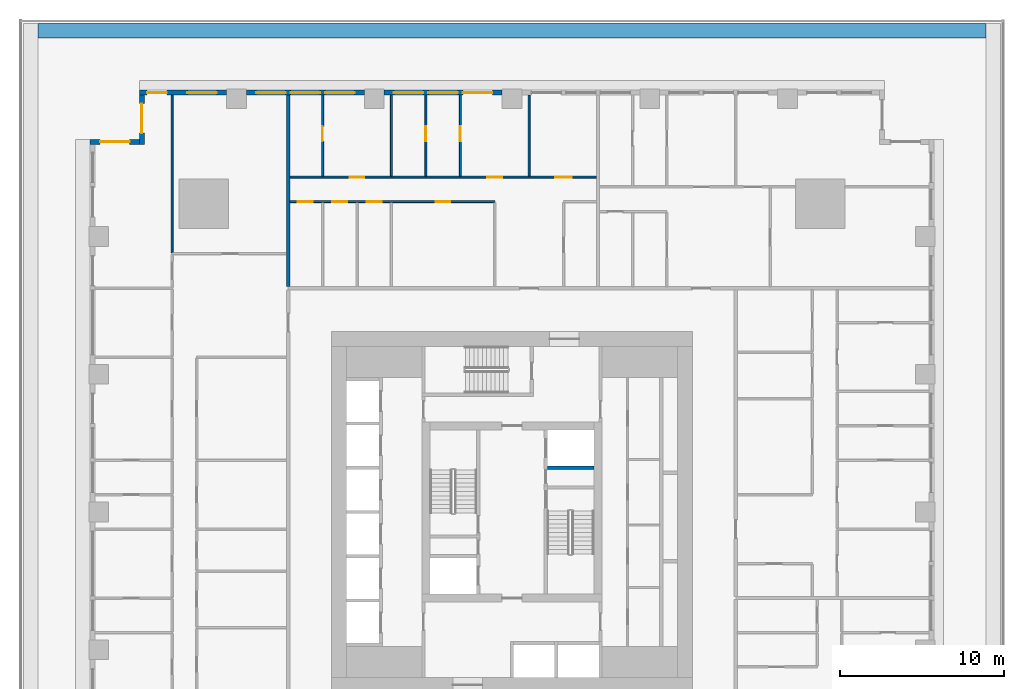
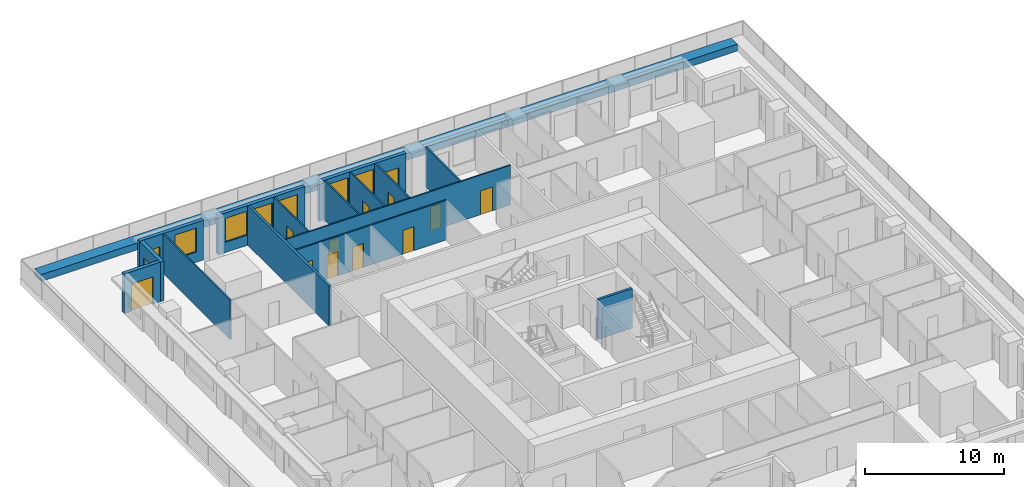
# One storey, part 8 of 16: 16 walls, 14 doors, 6 windows, 20 openings.
"""IFC4 building model written with IfcOpenShell, lengths in metres."""

import ifcopenshell
import ifcopenshell.guid

model = None  # the IFC model being written
_history = None  # IfcOwnerHistory: only IFC2X3 demands one
_inside = {}  # id of a spatial element -> (the spatial element, [elements in it])
_under = {}  # id of a project, library or spatial element -> (it, [spatial elements below it])
_declared = {}  # id of a project -> (the project, [libraries it declares])
_typed = {}  # id of a type object -> (the type object, [elements of that type])
_made_of = {}  # id of a material, layer set ... -> (it, [elements and type objects made of it])


def new_model(schema):
    """Start an empty IFC model of exactly this schema.

    Asked for "IFC4X3", IfcOpenShell would pick the latest addendum, in which some entities
    have other attributes; the version numbers below select the first issue.
    IFC2X3 requires an IfcOwnerHistory on every rooted entity: one is made here for all.
    """
    global model, _history
    if schema == "IFC4X3":
        model = ifcopenshell.file(schema_version=(4, 3, 0, 0))
    else:
        model = ifcopenshell.file(schema=schema)
    _inside.clear()
    _under.clear()
    _declared.clear()
    _typed.clear()
    _made_of.clear()
    _history = None
    if model.schema == "IFC2X3":
        org = make("IfcOrganization", Name="unknown")
        user = make(
            "IfcPersonAndOrganization",
            ThePerson=make("IfcPerson", FamilyName="unknown"),
            TheOrganization=org,
        )
        app = make(
            "IfcApplication",
            ApplicationDeveloper=org,
            Version="unknown",
            ApplicationFullName="unknown",
            ApplicationIdentifier="unknown",
        )
        _history = make(
            "IfcOwnerHistory",
            OwningUser=user,
            OwningApplication=app,
            ChangeAction="ADDED",
            CreationDate=0,
        )
    return model


def make(cls, **values):
    """One entity of the class cls with the attributes given. An attribute that is None is left unset."""
    return model.create_entity(
        cls, **{name: value for name, value in values.items() if value is not None}
    )


def rooted(cls, **values):
    """An entity with a GlobalId (a new one), such as an element, a storey or a relation."""
    return make(cls, GlobalId=ifcopenshell.guid.new(), OwnerHistory=_history, **values)


def si_unit(unit_type, name, prefix=None):
    """IfcSIUnit, for example si_unit("LENGTHUNIT", "METRE", prefix="MILLI")."""
    return make("IfcSIUnit", UnitType=unit_type, Prefix=prefix, Name=name)


def assignment(units):
    """IfcUnitAssignment: the units of a project."""
    return None if units is None else make("IfcUnitAssignment", Units=units)


def point(xyz):
    """IfcCartesianPoint."""
    return None if xyz is None else make("IfcCartesianPoint", Coordinates=xyz)


def direction(xyz):
    """IfcDirection."""
    return None if xyz is None else make("IfcDirection", DirectionRatios=xyz)


def frame(location, z_axis=None, x_axis=None):
    """IfcAxis2Placement3D, a coordinate frame: its origin and axes. An axis left out is left unset."""
    return make(
        "IfcAxis2Placement3D",
        Location=point(location),
        Axis=direction(z_axis),
        RefDirection=direction(x_axis),
    )


def frame_2d(location, x_axis=None):
    """IfcAxis2Placement2D, a coordinate frame in the plane: its origin and x axis."""
    return make(
        "IfcAxis2Placement2D", Location=point(location), RefDirection=direction(x_axis)
    )


def origin():
    """The frame at (0, 0, 0) with its axes left unset."""
    return frame((0.0, 0.0, 0.0))


def place(relative_to, where):
    """IfcLocalPlacement: puts the frame where relative to a parent placement (None: the world)."""
    return make(
        "IfcLocalPlacement", PlacementRelTo=relative_to, RelativePlacement=where
    )


def context(
    kind, dimensions, precision=None, world=None, true_north=None, identifier=None
):
    """IfcGeometricRepresentationContext, for example the 3D "Model" context."""
    return make(
        "IfcGeometricRepresentationContext",
        ContextIdentifier=identifier,
        ContextType=kind,
        CoordinateSpaceDimension=dimensions,
        Precision=precision,
        WorldCoordinateSystem=world,
        TrueNorth=true_north,
    )


def subcontext(parent, identifier, kind, view, scale=None):
    """IfcGeometricRepresentationSubContext, for example "Body" below "Model"."""
    return make(
        "IfcGeometricRepresentationSubContext",
        ContextIdentifier=identifier,
        ContextType=kind,
        ParentContext=parent,
        TargetScale=scale,
        TargetView=view,
    )


def project(units=None, contexts=None):
    """IfcProject with its units and contexts."""
    return rooted(
        "IfcProject",
        Name="project",
        RepresentationContexts=contexts,
        UnitsInContext=assignment(units),
    )


def spatial(cls, under=None, at=None, **own):
    """A site, building, storey or space (cls), placed at a placement, below another one or the project."""
    s = rooted(cls, ObjectPlacement=at, **own)
    if under is not None:
        _under.setdefault(under.id(), (under, []))[1].append(s)
    return s


def profile(cls, at=None, kind="AREA", **sizes):
    """A parametric profile (cls). Its sizes go by their IFC names, for example OverallWidth=200.0."""
    return make(cls, ProfileType=kind, Position=at, **sizes)


def rectangle(**sizes):
    """IfcRectangleProfileDef."""
    return profile("IfcRectangleProfileDef", **sizes)


def extrude(swept, where, along, depth):
    """IfcExtrudedAreaSolid: the profile swept, set in the frame where, extruded along a direction by depth."""
    return make(
        "IfcExtrudedAreaSolid",
        SweptArea=swept,
        Position=where,
        ExtrudedDirection=direction(along),
        Depth=depth,
    )


def shape(context_of_items, identifier, shape_type, items):
    """IfcShapeRepresentation: the items that make up one representation, for example the "Body"."""
    return make(
        "IfcShapeRepresentation",
        ContextOfItems=context_of_items,
        RepresentationIdentifier=identifier,
        RepresentationType=shape_type,
        Items=items,
    )


def material(Name=None, Category=None):
    """IfcMaterial."""
    return make("IfcMaterial", Name=Name, Category=Category)


def layer(
    of_material, thickness, ventilated=None, Name=None, Category=None, Priority=None
):
    """IfcMaterialLayer: one layer of a wall or slab, of a material (None: an air gap)."""
    return make(
        "IfcMaterialLayer",
        Material=of_material,
        LayerThickness=thickness,
        IsVentilated=ventilated,
        Name=Name,
        Category=Category,
        Priority=Priority,
    )


def layer_set(layers, Name=None):
    """IfcMaterialLayerSet."""
    return make("IfcMaterialLayerSet", MaterialLayers=layers, LayerSetName=Name)


def made_of(thing, what):
    """Note that an element or type object is made of a material, layer set ...; save() writes the relation."""
    if what is not None:
        _made_of.setdefault(what.id(), (what, []))[1].append(thing)
    return thing


def type_object(cls, material=None, **own):
    """A type object (cls), such as IfcWallType, which elements share."""
    return made_of(rooted(cls, **own), material)


def element(
    cls,
    number,
    at=None,
    inside=None,
    cuts=None,
    type_object=None,
    material=None,
    context=None,
    identifier="Body",
    shape_type=None,
    held_by="IfcProductDefinitionShape",
    body=None,
    shapes=None,
    **own,
):
    """One element of the class cls, such as IfcWall. Its Tag is "e" and its number.

    at: its placement. inside: the storey or other place that contains it. cuts: it is an
    opening in that element (IfcRelVoidsElement). A single representation is given by context,
    identifier, shape_type and body (its items); several are given by shapes. held_by: the class
    of the entity that holds the representations. save() writes the other relations.
    """
    e = rooted(cls, Tag="e%d" % number, ObjectPlacement=at, **own)
    if body is not None:
        shapes = [shape(context, identifier, shape_type, body)]
    if shapes is not None:
        e.Representation = make(held_by, Representations=shapes)
    if inside is not None:
        _inside.setdefault(inside.id(), (inside, []))[1].append(e)
    if cuts is not None:
        rooted(
            "IfcRelVoidsElement", RelatingBuildingElement=cuts, RelatedOpeningElement=e
        )
    if type_object is not None:
        _typed.setdefault(type_object.id(), (type_object, []))[1].append(e)
    return made_of(e, material)


def fill(opening, filler):
    """IfcRelFillsElement: the door or window that sits in an opening."""
    return rooted(
        "IfcRelFillsElement",
        RelatingOpeningElement=opening,
        RelatedBuildingElement=filler,
    )


def aggregate(whole, parts):
    """IfcRelAggregates: a whole, such as a stair, and the parts it consists of."""
    return rooted("IfcRelAggregates", RelatingObject=whole, RelatedObjects=parts)


def save(model, path):
    """Write the relations noted so far, then the file.

    IfcRelAggregates (storeys below a building ...), IfcRelContainedInSpatialStructure (elements
    in a storey), IfcRelDefinesByType, IfcRelAssociatesMaterial and IfcRelDeclares: one each for
    every whole, place, type object, material and project.
    """
    for whole, parts in _under.values():
        aggregate(whole, parts)
    for where, things in _inside.values():
        rooted(
            "IfcRelContainedInSpatialStructure",
            RelatedElements=things,
            RelatingStructure=where,
        )
    for kind, things in _typed.values():
        rooted("IfcRelDefinesByType", RelatedObjects=things, RelatingType=kind)
    for what, things in _made_of.values():
        rooted("IfcRelAssociatesMaterial", RelatedObjects=things, RelatingMaterial=what)
    for by, libraries in _declared.values():
        rooted("IfcRelDeclares", RelatingContext=by, RelatedDefinitions=libraries)
    model.write(path)


model = new_model("IFC4")

# Units and contexts
model_context = context("Model", 3, precision=1e-05, world=origin(), true_north=direction((0.0, 1.0)))
body_context = subcontext(model_context, "Body", "Model", "MODEL_VIEW")
ifc_project = project(units=[si_unit("LENGTHUNIT", "METRE"), si_unit("AREAUNIT", "SQUARE_METRE"), si_unit("VOLUMEUNIT", "CUBIC_METRE"), si_unit("PLANEANGLEUNIT", "RADIAN"), si_unit("MASSUNIT", "GRAM", prefix="KILO")], contexts=[model_context])

# Site, building, storey
site_placement = place(None, origin())
site = spatial("IfcSite", under=ifc_project, at=site_placement, CompositionType="ELEMENT")
building_placement = place(site_placement, origin())
building = spatial("IfcBuilding", under=site, at=building_placement, Name="Khepri Terraces", CompositionType="ELEMENT")
storey_placement = place(building_placement, frame((0.0, 0.0, 27.0)))
storey = spatial("IfcBuildingStorey", under=building, at=storey_placement, Name="L05", CompositionType="ELEMENT", Elevation=27.0)

# Walls
ifc_material_1 = material(Name="Concrete C80/95", Category="concrete")
ifc_layer_1 = layer(ifc_material_1, 0.199951171875, Name="Concrete C80/95", Category="concrete")
ifc_layer_set_1 = layer_set([ifc_layer_1], Name="Concrete C80/95")
wall_type_1 = type_object("IfcWallType", Name="Core wall 200 C80/95", PredefinedType="SHEAR", material=ifc_layer_set_1)
wall_1_placement = place(storey_placement, frame((2.14990234375, 2.699951171875, 0.0), z_axis=(0.0, 0.0, 1.0), x_axis=(1.0, 0.0, 0.0)))
element("IfcWall", 1, at=wall_1_placement, inside=storey, type_object=wall_type_1, Name="Core wall SH18 L05", PredefinedType="SHEAR", context=body_context, shape_type="SweptSolid", body=[
    extrude(rectangle(XDim=2.85009765625, YDim=0.199951171875, at=frame_2d((1.425048828125, 0.0))), origin(), (0.0, 0.0, 1.0), 3.47998046875),
])
ifc_material_2 = material(Name="Fire-rated gypsum plasterboard partition, mineral wool")
ifc_layer_2 = layer(ifc_material_2, 0.199951171875, Name="Fire-rated gypsum plasterboard partition, mineral wool")
ifc_layer_set_2 = layer_set([ifc_layer_2], Name="Fire-rated gypsum plasterboard partition, mineral wool")
wall_type_2 = type_object("IfcWallType", Name="WL-CORR-200", PredefinedType="PARTITIONING", material=ifc_layer_set_2)
wall_2_placement = place(storey_placement, frame((-13.64990234375, 13.75, 0.0), z_axis=(0.0, 0.0, 1.0), x_axis=(0.0, 1.0, 0.0)))
element("IfcWall", 2, at=wall_2_placement, inside=storey, type_object=wall_type_2, Name="Partition P-086 L05", PredefinedType="PARTITIONING", context=body_context, shape_type="SweptSolid", body=[
    extrude(rectangle(XDim=11.669921875, YDim=0.199951171875, at=frame_2d((5.8349609375, 0.0))), origin(), (0.0, 0.0, 1.0), 3.47998046875),
])

# Wall, openings, door, windows
ifc_material_3 = material(Name="Precast concrete C50/60 warm stone", Category="masonry")
ifc_layer_3 = layer(ifc_material_3, 0.300048828125, Name="Precast concrete C50/60 warm stone", Category="masonry")
ifc_layer_set_3 = layer_set([ifc_layer_3], Name="Precast concrete C50/60 warm stone")
wall_type_3 = type_object("IfcWallType", Name="WL-EXT-PRECAST-300", PredefinedType="STANDARD", material=ifc_layer_set_3)
wall_3_placement = place(storey_placement, frame((-0.60009765625, 25.570068359375, 0.0), z_axis=(0.0, 0.0, 1.0), x_axis=(-1.0, 0.0, 0.0)))
wall_3 = element("IfcWall", 3, at=wall_3_placement, inside=storey, type_object=wall_type_3, Name="External wall L05 N", PredefinedType="STANDARD", context=body_context, shape_type="SweptSolid", body=[
    extrude(rectangle(XDim=7.199951171875, YDim=0.300048828125, at=frame_2d((3.60009765625, 0.0))), origin(), (0.0, 0.0, 1.0), 3.47998046875),
])
opening_1_placement = place(wall_3_placement, frame((0.60009765625, 0.0, 0.0)))
opening_1 = element("IfcOpeningElement", 4, at=opening_1_placement, cuts=wall_3, Name="Opening ED-L05-14", PredefinedType="OPENING", context=body_context, shape_type="SweptSolid", body=[
    extrude(rectangle(XDim=1.800048828125, YDim=2.39990234375, at=frame_2d((0.89990234375, 1.199951171875))), frame((0.0, 0.16015625, 0.0), z_axis=(0.0, -1.0, 0.0), x_axis=(1.0, 0.0, 0.0)), (0.0, 0.0, 1.0), 0.320068359375),
])
opening_2_placement = place(wall_3_placement, frame((2.699951171875, 0.0, 0.89990234375)))
opening_2 = element("IfcOpeningElement", 5, at=opening_2_placement, cuts=wall_3, Name="Opening W1", PredefinedType="OPENING", context=body_context, shape_type="SweptSolid", body=[
    extrude(rectangle(XDim=1.800048828125, YDim=2.10009765625, at=frame_2d((0.89990234375, 1.050048828125))), frame((0.0, 0.16015625, 0.0), z_axis=(0.0, -1.0, 0.0), x_axis=(1.0, 0.0, 0.0)), (0.0, 0.0, 1.0), 0.320068359375),
])
opening_3_placement = place(wall_3_placement, frame((4.800048828125, 0.0, 0.89990234375)))
opening_3 = element("IfcOpeningElement", 6, at=opening_3_placement, cuts=wall_3, Name="Opening W1", PredefinedType="OPENING", context=body_context, shape_type="SweptSolid", body=[
    extrude(rectangle(XDim=1.800048828125, YDim=2.10009765625, at=frame_2d((0.89990234375, 1.050048828125))), frame((0.0, 0.16015625, 0.0), z_axis=(0.0, -1.0, 0.0), x_axis=(1.0, 0.0, 0.0)), (0.0, 0.0, 1.0), 0.320068359375),
])
ifc_material_4 = material(Name="Anodised aluminium bronze glazed door", Category="aluminium")
door_type_1 = type_object("IfcDoorType", Name="DR-BAL-SLIDE-1800x2400", OperationType="NOTDEFINED", PredefinedType="DOOR", material=ifc_material_4)
door_1_placement = place(opening_1_placement, origin())
door_1 = element("IfcDoor", 7, at=door_1_placement, inside=storey, type_object=door_type_1, Name="Balcony door L05 N", OperationType="SLIDING_TO_LEFT", OverallHeight=2.39990234375, OverallWidth=1.800048828125, PredefinedType="DOOR", context=body_context, shape_type="SweptSolid", body=[
    extrude(rectangle(XDim=1.800048828125, YDim=2.39990234375, at=frame_2d((0.89990234375, 1.199951171875))), frame((0.0, 0.02490234375, 0.0), z_axis=(0.0, -1.0, 0.0), x_axis=(1.0, 0.0, 0.0)), (0.0, 0.0, 1.0), 0.050048828125),
])
fill(opening_1, door_1)
ifc_material_5 = material(Name="Clear glass", Category="glass")
window_type = type_object("IfcWindowType", Name="WIN-RES-1800x2100", PartitioningType="SINGLE_PANEL", PredefinedType="WINDOW", material=ifc_material_5)
window_1_placement = place(opening_2_placement, origin())
window_1 = element("IfcWindow", 8, at=window_1_placement, inside=storey, type_object=window_type, Name="Window L05 N", OverallHeight=2.10009765625, OverallWidth=1.800048828125, PartitioningType="SINGLE_PANEL", PredefinedType="WINDOW", context=body_context, shape_type="SweptSolid", body=[
    extrude(rectangle(XDim=1.800048828125, YDim=2.10009765625, at=frame_2d((0.89990234375, 1.050048828125))), frame((0.0, 0.030029296875, 0.0), z_axis=(0.0, -1.0, 0.0), x_axis=(1.0, 0.0, 0.0)), (0.0, 0.0, 1.0), 0.06005859375),
])
fill(opening_2, window_1)
window_2_placement = place(opening_3_placement, origin())
window_2 = element("IfcWindow", 9, at=window_2_placement, inside=storey, type_object=window_type, Name="Window L05 N", OverallHeight=2.10009765625, OverallWidth=1.800048828125, PartitioningType="SINGLE_PANEL", PredefinedType="WINDOW", context=body_context, shape_type="SweptSolid", body=[
    extrude(rectangle(XDim=1.800048828125, YDim=2.10009765625, at=frame_2d((0.89990234375, 1.050048828125))), frame((0.0, 0.030029296875, 0.0), z_axis=(0.0, -1.0, 0.0), x_axis=(1.0, 0.0, 0.0)), (0.0, 0.0, 1.0), 0.06005859375),
])
fill(opening_3, window_2)

# Wall, openings, windows
wall_4_placement = place(storey_placement, frame((-9.0, 25.570068359375, 0.0), z_axis=(0.0, 0.0, 1.0), x_axis=(-1.0, 0.0, 0.0)))
wall_4 = element("IfcWall", 10, at=wall_4_placement, inside=storey, type_object=wall_type_3, Name="External wall L05 N", PredefinedType="STANDARD", context=body_context, shape_type="SweptSolid", body=[
    extrude(rectangle(XDim=7.199951171875, YDim=0.300048828125, at=frame_2d((3.60009765625, 0.0))), origin(), (0.0, 0.0, 1.0), 3.47998046875),
])
opening_4_placement = place(wall_4_placement, frame((0.60009765625, 0.0, 0.89990234375)))
opening_4 = element("IfcOpeningElement", 11, at=opening_4_placement, cuts=wall_4, Name="Opening W1", PredefinedType="OPENING", context=body_context, shape_type="SweptSolid", body=[
    extrude(rectangle(XDim=1.800048828125, YDim=2.10009765625, at=frame_2d((0.89990234375, 1.050048828125))), frame((0.0, 0.16015625, 0.0), z_axis=(0.0, -1.0, 0.0), x_axis=(1.0, 0.0, 0.0)), (0.0, 0.0, 1.0), 0.320068359375),
])
opening_5_placement = place(wall_4_placement, frame((2.699951171875, 0.0, 0.89990234375)))
opening_5 = element("IfcOpeningElement", 12, at=opening_5_placement, cuts=wall_4, Name="Opening W1", PredefinedType="OPENING", context=body_context, shape_type="SweptSolid", body=[
    extrude(rectangle(XDim=1.800048828125, YDim=2.10009765625, at=frame_2d((0.89990234375, 1.050048828125))), frame((0.0, 0.16015625, 0.0), z_axis=(0.0, -1.0, 0.0), x_axis=(1.0, 0.0, 0.0)), (0.0, 0.0, 1.0), 0.320068359375),
])
opening_6_placement = place(wall_4_placement, frame((4.800048828125, 0.0, 0.89990234375)))
opening_6 = element("IfcOpeningElement", 13, at=opening_6_placement, cuts=wall_4, Name="Opening W1", PredefinedType="OPENING", context=body_context, shape_type="SweptSolid", body=[
    extrude(rectangle(XDim=1.800048828125, YDim=2.10009765625, at=frame_2d((0.89990234375, 1.050048828125))), frame((0.0, 0.16015625, 0.0), z_axis=(0.0, -1.0, 0.0), x_axis=(1.0, 0.0, 0.0)), (0.0, 0.0, 1.0), 0.320068359375),
])
window_3_placement = place(opening_4_placement, origin())
window_3 = element("IfcWindow", 14, at=window_3_placement, inside=storey, type_object=window_type, Name="Window L05 N", OverallHeight=2.10009765625, OverallWidth=1.800048828125, PartitioningType="SINGLE_PANEL", PredefinedType="WINDOW", context=body_context, shape_type="SweptSolid", body=[
    extrude(rectangle(XDim=1.800048828125, YDim=2.10009765625, at=frame_2d((0.89990234375, 1.050048828125))), frame((0.0, 0.030029296875, 0.0), z_axis=(0.0, -1.0, 0.0), x_axis=(1.0, 0.0, 0.0)), (0.0, 0.0, 1.0), 0.06005859375),
])
fill(opening_4, window_3)
window_4_placement = place(opening_5_placement, origin())
window_4 = element("IfcWindow", 15, at=window_4_placement, inside=storey, type_object=window_type, Name="Window L05 N", OverallHeight=2.10009765625, OverallWidth=1.800048828125, PartitioningType="SINGLE_PANEL", PredefinedType="WINDOW", context=body_context, shape_type="SweptSolid", body=[
    extrude(rectangle(XDim=1.800048828125, YDim=2.10009765625, at=frame_2d((0.89990234375, 1.050048828125))), frame((0.0, 0.030029296875, 0.0), z_axis=(0.0, -1.0, 0.0), x_axis=(1.0, 0.0, 0.0)), (0.0, 0.0, 1.0), 0.06005859375),
])
fill(opening_5, window_4)
window_5_placement = place(opening_6_placement, origin())
window_5 = element("IfcWindow", 16, at=window_5_placement, inside=storey, type_object=window_type, Name="Window L05 N", OverallHeight=2.10009765625, OverallWidth=1.800048828125, PartitioningType="SINGLE_PANEL", PredefinedType="WINDOW", context=body_context, shape_type="SweptSolid", body=[
    extrude(rectangle(XDim=1.800048828125, YDim=2.10009765625, at=frame_2d((0.89990234375, 1.050048828125))), frame((0.0, 0.030029296875, 0.0), z_axis=(0.0, -1.0, 0.0), x_axis=(1.0, 0.0, 0.0)), (0.0, 0.0, 1.0), 0.06005859375),
])
fill(opening_6, window_5)

# Wall, openings, door, window
wall_5_placement = place(storey_placement, frame((-17.39990234375, 25.570068359375, 0.0), z_axis=(0.0, 0.0, 1.0), x_axis=(-1.0, 0.0, 0.0)))
wall_5 = element("IfcWall", 17, at=wall_5_placement, inside=storey, type_object=wall_type_3, Name="External wall L05 N", PredefinedType="STANDARD", context=body_context, shape_type="SweptSolid", body=[
    extrude(rectangle(XDim=5.320068359375, YDim=0.300048828125, at=frame_2d((2.66015625, 0.0))), origin(), (0.0, 0.0, 1.0), 3.47998046875),
])
opening_7_placement = place(wall_5_placement, frame((0.60009765625, 0.0, 0.89990234375)))
opening_7 = element("IfcOpeningElement", 18, at=opening_7_placement, cuts=wall_5, Name="Opening W1", PredefinedType="OPENING", context=body_context, shape_type="SweptSolid", body=[
    extrude(rectangle(XDim=1.800048828125, YDim=2.10009765625, at=frame_2d((0.89990234375, 1.050048828125))), frame((0.0, 0.16015625, 0.0), z_axis=(0.0, -1.0, 0.0), x_axis=(1.0, 0.0, 0.0)), (0.0, 0.0, 1.0), 0.320068359375),
])
opening_8_placement = place(wall_5_placement, frame((3.64501953125, 0.0, 0.0)))
opening_8 = element("IfcOpeningElement", 19, at=opening_8_placement, cuts=wall_5, Name="Opening ED-L05-15", PredefinedType="OPENING", context=body_context, shape_type="SweptSolid", body=[
    extrude(rectangle(XDim=1.199951171875, YDim=2.39990234375, at=frame_2d((0.60009765625, 1.199951171875))), frame((0.0, 0.16015625, 0.0), z_axis=(0.0, -1.0, 0.0), x_axis=(1.0, 0.0, 0.0)), (0.0, 0.0, 1.0), 0.320068359375),
])
door_type_2 = type_object("IfcDoorType", Name="DR-BAL-SLIDE-1200x2400", OperationType="NOTDEFINED", PredefinedType="DOOR", material=ifc_material_4)
door_2_placement = place(opening_8_placement, origin())
door_2 = element("IfcDoor", 20, at=door_2_placement, inside=storey, type_object=door_type_2, Name="Balcony door L05 N", OperationType="SLIDING_TO_RIGHT", OverallHeight=2.39990234375, OverallWidth=1.199951171875, PredefinedType="DOOR", context=body_context, shape_type="SweptSolid", body=[
    extrude(rectangle(XDim=1.199951171875, YDim=2.39990234375, at=frame_2d((0.60009765625, 1.199951171875))), frame((0.0, 0.02490234375, 0.0), z_axis=(0.0, -1.0, 0.0), x_axis=(1.0, 0.0, 0.0)), (0.0, 0.0, 1.0), 0.050048828125),
])
fill(opening_8, door_2)
window_6_placement = place(opening_7_placement, origin())
window_6 = element("IfcWindow", 21, at=window_6_placement, inside=storey, type_object=window_type, Name="Window L05 N", OverallHeight=2.10009765625, OverallWidth=1.800048828125, PartitioningType="SINGLE_PANEL", PredefinedType="WINDOW", context=body_context, shape_type="SweptSolid", body=[
    extrude(rectangle(XDim=1.800048828125, YDim=2.10009765625, at=frame_2d((0.89990234375, 1.050048828125))), frame((0.0, 0.030029296875, 0.0), z_axis=(0.0, -1.0, 0.0), x_axis=(1.0, 0.0, 0.0)), (0.0, 0.0, 1.0), 0.06005859375),
])
fill(opening_7, window_6)

# Wall, opening, door
wall_6_placement = place(storey_placement, frame((-22.570068359375, 25.419921875, 0.0), z_axis=(0.0, 0.0, 1.0), x_axis=(0.0, -1.0, 0.0)))
wall_6 = element("IfcWall", 22, at=wall_6_placement, inside=storey, type_object=wall_type_3, Name="External wall L05 W", PredefinedType="STANDARD", context=body_context, shape_type="SweptSolid", body=[
    extrude(rectangle(XDim=3.0, YDim=0.300048828125, at=frame_2d((1.5, 0.0))), origin(), (0.0, 0.0, 1.0), 3.47998046875),
])
opening_9_placement = place(wall_6_placement, frame((0.52490234375, 0.0, 0.0)))
opening_9 = element("IfcOpeningElement", 23, at=opening_9_placement, cuts=wall_6, Name="Opening ED-L05-16", PredefinedType="OPENING", context=body_context, shape_type="SweptSolid", body=[
    extrude(rectangle(XDim=1.800048828125, YDim=2.39990234375, at=frame_2d((0.89990234375, 1.199951171875))), frame((0.0, 0.16015625, 0.0), z_axis=(0.0, -1.0, 0.0), x_axis=(1.0, 0.0, 0.0)), (0.0, 0.0, 1.0), 0.320068359375),
])
door_3_placement = place(opening_9_placement, origin())
door_3 = element("IfcDoor", 24, at=door_3_placement, inside=storey, type_object=door_type_1, Name="Balcony door L05 W", OperationType="SLIDING_TO_LEFT", OverallHeight=2.39990234375, OverallWidth=1.800048828125, PredefinedType="DOOR", context=body_context, shape_type="SweptSolid", body=[
    extrude(rectangle(XDim=1.800048828125, YDim=2.39990234375, at=frame_2d((0.89990234375, 1.199951171875))), frame((0.0, 0.02490234375, 0.0), z_axis=(0.0, -1.0, 0.0), x_axis=(1.0, 0.0, 0.0)), (0.0, 0.0, 1.0), 0.050048828125),
])
fill(opening_9, door_3)

wall_7_placement = place(storey_placement, frame((-22.719970703125, 22.570068359375, 0.0), z_axis=(0.0, 0.0, 1.0), x_axis=(-1.0, 0.0, 0.0)))
wall_7 = element("IfcWall", 25, at=wall_7_placement, inside=storey, type_object=wall_type_3, Name="External wall L05 N", PredefinedType="STANDARD", context=body_context, shape_type="SweptSolid", body=[
    extrude(rectangle(XDim=3.0, YDim=0.300048828125, at=frame_2d((1.5, 0.0))), origin(), (0.0, 0.0, 1.0), 3.47998046875),
])
opening_10_placement = place(wall_7_placement, frame((0.60009765625, 0.0, 0.0)))
opening_10 = element("IfcOpeningElement", 26, at=opening_10_placement, cuts=wall_7, Name="Opening ED-L05-17", PredefinedType="OPENING", context=body_context, shape_type="SweptSolid", body=[
    extrude(rectangle(XDim=1.800048828125, YDim=2.39990234375, at=frame_2d((0.89990234375, 1.199951171875))), frame((0.0, 0.16015625, 0.0), z_axis=(0.0, -1.0, 0.0), x_axis=(1.0, 0.0, 0.0)), (0.0, 0.0, 1.0), 0.320068359375),
])
door_4_placement = place(opening_10_placement, origin())
door_4 = element("IfcDoor", 27, at=door_4_placement, inside=storey, type_object=door_type_1, Name="Balcony door L05 N", OperationType="SLIDING_TO_RIGHT", OverallHeight=2.39990234375, OverallWidth=1.800048828125, PredefinedType="DOOR", context=body_context, shape_type="SweptSolid", body=[
    extrude(rectangle(XDim=1.800048828125, YDim=2.39990234375, at=frame_2d((0.89990234375, 1.199951171875))), frame((0.0, 0.02490234375, 0.0), z_axis=(0.0, -1.0, 0.0), x_axis=(1.0, 0.0, 0.0)), (0.0, 0.0, 1.0), 0.050048828125),
])
fill(opening_10, door_4)

# Wall
ifc_material_6 = material(Name="Gypsum plasterboard partition")
ifc_layer_4 = layer(ifc_material_6, 0.1201171875, Name="Gypsum plasterboard partition")
ifc_layer_set_4 = layer_set([ifc_layer_4], Name="Gypsum plasterboard partition")
wall_type_4 = type_object("IfcWallType", Name="WL-PART-120", PredefinedType="PARTITIONING", material=ifc_layer_set_4)
wall_8_placement = place(storey_placement, frame((-20.719970703125, 15.81005859375, 0.0), z_axis=(0.0, 0.0, 1.0), x_axis=(0.0, 1.0, 0.0)))
element("IfcWall", 28, at=wall_8_placement, inside=storey, type_object=wall_type_4, Name="Partition P-097 L05", PredefinedType="PARTITIONING", context=body_context, shape_type="SweptSolid", body=[
    extrude(rectangle(XDim=9.60986328125, YDim=0.1201171875, at=frame_2d((4.804931640625, 0.0))), origin(), (0.0, 0.0, 1.0), 3.47998046875),
])

# Wall, openings, doors
wall_9_placement = place(storey_placement, frame((-13.550048828125, 18.919921875, 0.0), z_axis=(0.0, 0.0, 1.0), x_axis=(1.0, 0.0, 0.0)))
wall_9 = element("IfcWall", 29, at=wall_9_placement, inside=storey, type_object=wall_type_4, Name="Partition P-099 L05", PredefinedType="PARTITIONING", context=body_context, shape_type="SweptSolid", body=[
    extrude(rectangle(XDim=12.5, YDim=0.1201171875, at=frame_2d((6.25, 0.0))), origin(), (0.0, 0.0, 1.0), 3.47998046875),
])
opening_11_placement = place(wall_9_placement, frame((8.89990234375, 0.0, 0.0)))
opening_11 = element("IfcOpeningElement", 30, at=opening_11_placement, cuts=wall_9, Name="Opening D3", PredefinedType="OPENING", context=body_context, shape_type="SweptSolid", body=[
    extrude(rectangle(XDim=0.89990234375, YDim=2.10009765625, at=frame_2d((0.449951171875, 1.050048828125))), frame((0.0, 0.070068359375, 0.0), z_axis=(0.0, -1.0, 0.0), x_axis=(1.0, 0.0, 0.0)), (0.0, 0.0, 1.0), 0.14013671875),
])
opening_12_placement = place(wall_9_placement, frame((4.699951171875, 0.0, 0.0)))
opening_12 = element("IfcOpeningElement", 31, at=opening_12_placement, cuts=wall_9, Name="Opening D3", PredefinedType="OPENING", context=body_context, shape_type="SweptSolid", body=[
    extrude(rectangle(XDim=0.89990234375, YDim=2.10009765625, at=frame_2d((0.449951171875, 1.050048828125))), frame((0.0, 0.070068359375, 0.0), z_axis=(0.0, -1.0, 0.0), x_axis=(1.0, 0.0, 0.0)), (0.0, 0.0, 1.0), 0.14013671875),
])
opening_13_placement = place(wall_9_placement, frame((2.60009765625, 0.0, 0.0)))
opening_13 = element("IfcOpeningElement", 32, at=opening_13_placement, cuts=wall_9, Name="Opening D4", PredefinedType="OPENING", context=body_context, shape_type="SweptSolid", body=[
    extrude(rectangle(XDim=0.89990234375, YDim=2.10009765625, at=frame_2d((0.449951171875, 1.050048828125))), frame((0.0, 0.070068359375, 0.0), z_axis=(0.0, -1.0, 0.0), x_axis=(1.0, 0.0, 0.0)), (0.0, 0.0, 1.0), 0.14013671875),
])
opening_14_placement = place(wall_9_placement, frame((0.5, 0.0, 0.0)))
opening_14 = element("IfcOpeningElement", 33, at=opening_14_placement, cuts=wall_9, Name="Opening D4", PredefinedType="OPENING", context=body_context, shape_type="SweptSolid", body=[
    extrude(rectangle(XDim=0.89990234375, YDim=2.10009765625, at=frame_2d((0.449951171875, 1.050048828125))), frame((0.0, 0.070068359375, 0.0), z_axis=(0.0, -1.0, 0.0), x_axis=(1.0, 0.0, 0.0)), (0.0, 0.0, 1.0), 0.14013671875),
])
ifc_material_7 = material(Name="Timber door leaf", Category="wood")
door_type_3 = type_object("IfcDoorType", Name="DR-INT-900", OperationType="NOTDEFINED", PredefinedType="DOOR", material=ifc_material_7)
door_5_placement = place(opening_11_placement, frame((0.89990234375, 0.0, 0.0), z_axis=(0.0, 0.0, 1.0), x_axis=(-1.0, 0.0, 0.0)))
door_5 = element("IfcDoor", 34, at=door_5_placement, inside=storey, type_object=door_type_3, Name="Door Kitchen", OperationType="SINGLE_SWING_LEFT", OverallHeight=2.10009765625, OverallWidth=0.89990234375, PredefinedType="DOOR", context=body_context, shape_type="SweptSolid", body=[
    extrude(rectangle(XDim=0.89990234375, YDim=2.10009765625, at=frame_2d((0.449951171875, 1.050048828125))), frame((0.0, 0.02490234375, 0.0), z_axis=(0.0, -1.0, 0.0), x_axis=(1.0, 0.0, 0.0)), (0.0, 0.0, 1.0), 0.050048828125),
])
fill(opening_11, door_5)
door_6_placement = place(opening_12_placement, frame((0.89990234375, 0.0, 0.0), z_axis=(0.0, 0.0, 1.0), x_axis=(-1.0, 0.0, 0.0)))
door_6 = element("IfcDoor", 35, at=door_6_placement, inside=storey, type_object=door_type_3, Name="Door Service Store", OperationType="SINGLE_SWING_RIGHT", OverallHeight=2.10009765625, OverallWidth=0.89990234375, PredefinedType="DOOR", context=body_context, shape_type="SweptSolid", body=[
    extrude(rectangle(XDim=0.89990234375, YDim=2.10009765625, at=frame_2d((0.449951171875, 1.050048828125))), frame((0.0, 0.02490234375, 0.0), z_axis=(0.0, -1.0, 0.0), x_axis=(1.0, 0.0, 0.0)), (0.0, 0.0, 1.0), 0.050048828125),
])
fill(opening_12, door_6)
ifc_material_8 = material(Name="Timber door leaf, moisture resistant", Category="wood")
door_type_4 = type_object("IfcDoorType", Name="DR-WET-900", OperationType="NOTDEFINED", PredefinedType="DOOR", material=ifc_material_8)
door_7_placement = place(opening_13_placement, frame((0.89990234375, 0.0, 0.0), z_axis=(0.0, 0.0, 1.0), x_axis=(-1.0, 0.0, 0.0)))
door_7 = element("IfcDoor", 36, at=door_7_placement, inside=storey, type_object=door_type_4, Name="Door Powder Room", OperationType="SINGLE_SWING_RIGHT", OverallHeight=2.10009765625, OverallWidth=0.89990234375, PredefinedType="DOOR", context=body_context, shape_type="SweptSolid", body=[
    extrude(rectangle(XDim=0.89990234375, YDim=2.10009765625, at=frame_2d((0.449951171875, 1.050048828125))), frame((0.0, 0.02490234375, 0.0), z_axis=(0.0, -1.0, 0.0), x_axis=(1.0, 0.0, 0.0)), (0.0, 0.0, 1.0), 0.050048828125),
])
fill(opening_13, door_7)
door_8_placement = place(opening_14_placement, frame((0.89990234375, 0.0, 0.0), z_axis=(0.0, 0.0, 1.0), x_axis=(-1.0, 0.0, 0.0)))
door_8 = element("IfcDoor", 37, at=door_8_placement, inside=storey, type_object=door_type_4, Name="Door Guest Bathroom", OperationType="SINGLE_SWING_RIGHT", OverallHeight=2.10009765625, OverallWidth=0.89990234375, PredefinedType="DOOR", context=body_context, shape_type="SweptSolid", body=[
    extrude(rectangle(XDim=0.89990234375, YDim=2.10009765625, at=frame_2d((0.449951171875, 1.050048828125))), frame((0.0, 0.02490234375, 0.0), z_axis=(0.0, -1.0, 0.0), x_axis=(1.0, 0.0, 0.0)), (0.0, 0.0, 1.0), 0.050048828125),
])
fill(opening_14, door_8)

wall_10_placement = place(storey_placement, frame((-13.550048828125, 20.419921875, 0.0), z_axis=(0.0, 0.0, 1.0), x_axis=(1.0, 0.0, 0.0)))
wall_10 = element("IfcWall", 38, at=wall_10_placement, inside=storey, type_object=wall_type_4, Name="Partition P-106 L05", PredefinedType="PARTITIONING", context=body_context, shape_type="SweptSolid", body=[
    extrude(rectangle(XDim=18.699951171875, YDim=0.1201171875, at=frame_2d((9.35009765625, 0.0))), origin(), (0.0, 0.0, 1.0), 3.47998046875),
])
opening_15_placement = place(wall_10_placement, frame((16.199951171875, 0.0, 0.0)))
opening_15 = element("IfcOpeningElement", 39, at=opening_15_placement, cuts=wall_10, Name="Opening D2", PredefinedType="OPENING", context=body_context, shape_type="SweptSolid", body=[
    extrude(rectangle(XDim=1.0, YDim=2.10009765625, at=frame_2d((0.5, 1.050048828125))), frame((0.0, 0.070068359375, 0.0), z_axis=(0.0, -1.0, 0.0), x_axis=(1.0, 0.0, 0.0)), (0.0, 0.0, 1.0), 0.14013671875),
])
opening_16_placement = place(wall_10_placement, frame((12.050048828125, 0.0, 0.0)))
opening_16 = element("IfcOpeningElement", 40, at=opening_16_placement, cuts=wall_10, Name="Opening D3", PredefinedType="OPENING", context=body_context, shape_type="SweptSolid", body=[
    extrude(rectangle(XDim=0.89990234375, YDim=2.10009765625, at=frame_2d((0.449951171875, 1.050048828125))), frame((0.0, 0.070068359375, 0.0), z_axis=(0.0, -1.0, 0.0), x_axis=(1.0, 0.0, 0.0)), (0.0, 0.0, 1.0), 0.14013671875),
])
opening_17_placement = place(wall_10_placement, frame((3.64990234375, 0.0, 0.0)))
opening_17 = element("IfcOpeningElement", 41, at=opening_17_placement, cuts=wall_10, Name="Opening D3", PredefinedType="OPENING", context=body_context, shape_type="SweptSolid", body=[
    extrude(rectangle(XDim=0.89990234375, YDim=2.10009765625, at=frame_2d((0.449951171875, 1.050048828125))), frame((0.0, 0.070068359375, 0.0), z_axis=(0.0, -1.0, 0.0), x_axis=(1.0, 0.0, 0.0)), (0.0, 0.0, 1.0), 0.14013671875),
])
ifc_material_9 = material(Name="Timber door leaf, living room door", Category="wood")
door_type_5 = type_object("IfcDoorType", Name="DR-INT-1000", OperationType="NOTDEFINED", PredefinedType="DOOR", material=ifc_material_9)
door_9_placement = place(opening_15_placement, origin())
door_9 = element("IfcDoor", 42, at=door_9_placement, inside=storey, type_object=door_type_5, Name="Door Living Room", OperationType="SINGLE_SWING_RIGHT", OverallHeight=2.10009765625, OverallWidth=1.0, PredefinedType="DOOR", context=body_context, shape_type="SweptSolid", body=[
    extrude(rectangle(XDim=1.0, YDim=2.10009765625, at=frame_2d((0.5, 1.050048828125))), frame((0.0, 0.02490234375, 0.0), z_axis=(0.0, -1.0, 0.0), x_axis=(1.0, 0.0, 0.0)), (0.0, 0.0, 1.0), 0.050048828125),
])
fill(opening_15, door_9)
door_10_placement = place(opening_16_placement, origin())
door_10 = element("IfcDoor", 43, at=door_10_placement, inside=storey, type_object=door_type_3, Name="Door Master Bedroom", OperationType="SINGLE_SWING_RIGHT", OverallHeight=2.10009765625, OverallWidth=0.89990234375, PredefinedType="DOOR", context=body_context, shape_type="SweptSolid", body=[
    extrude(rectangle(XDim=0.89990234375, YDim=2.10009765625, at=frame_2d((0.449951171875, 1.050048828125))), frame((0.0, 0.02490234375, 0.0), z_axis=(0.0, -1.0, 0.0), x_axis=(1.0, 0.0, 0.0)), (0.0, 0.0, 1.0), 0.050048828125),
])
fill(opening_16, door_10)
door_11_placement = place(opening_17_placement, origin())
door_11 = element("IfcDoor", 44, at=door_11_placement, inside=storey, type_object=door_type_3, Name="Door Bedroom", OperationType="SINGLE_SWING_LEFT", OverallHeight=2.10009765625, OverallWidth=0.89990234375, PredefinedType="DOOR", context=body_context, shape_type="SweptSolid", body=[
    extrude(rectangle(XDim=0.89990234375, YDim=2.10009765625, at=frame_2d((0.449951171875, 1.050048828125))), frame((0.0, 0.02490234375, 0.0), z_axis=(0.0, -1.0, 0.0), x_axis=(1.0, 0.0, 0.0)), (0.0, 0.0, 1.0), 0.050048828125),
])
fill(opening_17, door_11)

# Wall, opening, door
wall_11_placement = place(storey_placement, frame((-11.550048828125, 20.47998046875, 0.0), z_axis=(0.0, 0.0, 1.0), x_axis=(0.0, 1.0, 0.0)))
wall_11 = element("IfcWall", 45, at=wall_11_placement, inside=storey, type_object=wall_type_4, Name="Partition P-107 L05", PredefinedType="PARTITIONING", context=body_context, shape_type="SweptSolid", body=[
    extrude(rectangle(XDim=4.93994140625, YDim=0.1201171875, at=frame_2d((2.469970703125, 0.0))), origin(), (0.0, 0.0, 1.0), 3.47998046875),
])
opening_18_placement = place(wall_11_placement, frame((2.139892578125, 0.0, 0.0)))
opening_18 = element("IfcOpeningElement", 46, at=opening_18_placement, cuts=wall_11, Name="Opening D4", PredefinedType="OPENING", context=body_context, shape_type="SweptSolid", body=[
    extrude(rectangle(XDim=0.89990234375, YDim=2.10009765625, at=frame_2d((0.449951171875, 1.050048828125))), frame((0.0, 0.070068359375, 0.0), z_axis=(0.0, -1.0, 0.0), x_axis=(1.0, 0.0, 0.0)), (0.0, 0.0, 1.0), 0.14013671875),
])
door_12_placement = place(opening_18_placement, origin())
door_12 = element("IfcDoor", 47, at=door_12_placement, inside=storey, type_object=door_type_4, Name="Door Bathroom", OperationType="SINGLE_SWING_RIGHT", OverallHeight=2.10009765625, OverallWidth=0.89990234375, PredefinedType="DOOR", context=body_context, shape_type="SweptSolid", body=[
    extrude(rectangle(XDim=0.89990234375, YDim=2.10009765625, at=frame_2d((0.449951171875, 1.050048828125))), frame((0.0, 0.02490234375, 0.0), z_axis=(0.0, -1.0, 0.0), x_axis=(1.0, 0.0, 0.0)), (0.0, 0.0, 1.0), 0.050048828125),
])
fill(opening_18, door_12)

# Wall
wall_12_placement = place(storey_placement, frame((-7.35009765625, 20.47998046875, 0.0), z_axis=(0.0, 0.0, 1.0), x_axis=(0.0, 1.0, 0.0)))
element("IfcWall", 48, at=wall_12_placement, inside=storey, type_object=wall_type_4, Name="Partition P-108 L05", PredefinedType="PARTITIONING", context=body_context, shape_type="SweptSolid", body=[
    extrude(rectangle(XDim=4.93994140625, YDim=0.1201171875, at=frame_2d((2.469970703125, 0.0))), origin(), (0.0, 0.0, 1.0), 3.47998046875),
])

# Wall, opening, door
wall_13_placement = place(storey_placement, frame((-5.25, 20.47998046875, 0.0), z_axis=(0.0, 0.0, 1.0), x_axis=(0.0, 1.0, 0.0)))
wall_13 = element("IfcWall", 49, at=wall_13_placement, inside=storey, type_object=wall_type_4, Name="Partition P-109 L05", PredefinedType="PARTITIONING", context=body_context, shape_type="SweptSolid", body=[
    extrude(rectangle(XDim=4.93994140625, YDim=0.1201171875, at=frame_2d((2.469970703125, 0.0))), origin(), (0.0, 0.0, 1.0), 3.47998046875),
])
opening_19_placement = place(wall_13_placement, frame((2.139892578125, 0.0, 0.0)))
opening_19 = element("IfcOpeningElement", 50, at=opening_19_placement, cuts=wall_13, Name="Opening D4", PredefinedType="OPENING", context=body_context, shape_type="SweptSolid", body=[
    extrude(rectangle(XDim=0.89990234375, YDim=2.10009765625, at=frame_2d((0.449951171875, 1.050048828125))), frame((0.0, 0.070068359375, 0.0), z_axis=(0.0, -1.0, 0.0), x_axis=(1.0, 0.0, 0.0)), (0.0, 0.0, 1.0), 0.14013671875),
])
door_13_placement = place(opening_19_placement, origin())
door_13 = element("IfcDoor", 51, at=door_13_placement, inside=storey, type_object=door_type_4, Name="Door Bathroom", OperationType="SINGLE_SWING_RIGHT", OverallHeight=2.10009765625, OverallWidth=0.89990234375, PredefinedType="DOOR", context=body_context, shape_type="SweptSolid", body=[
    extrude(rectangle(XDim=0.89990234375, YDim=2.10009765625, at=frame_2d((0.449951171875, 1.050048828125))), frame((0.0, 0.02490234375, 0.0), z_axis=(0.0, -1.0, 0.0), x_axis=(1.0, 0.0, 0.0)), (0.0, 0.0, 1.0), 0.050048828125),
])
fill(opening_19, door_13)

wall_14_placement = place(storey_placement, frame((-3.14990234375, 20.47998046875, 0.0), z_axis=(0.0, 0.0, 1.0), x_axis=(0.0, 1.0, 0.0)))
wall_14 = element("IfcWall", 52, at=wall_14_placement, inside=storey, type_object=wall_type_4, Name="Partition P-110 L05", PredefinedType="PARTITIONING", context=body_context, shape_type="SweptSolid", body=[
    extrude(rectangle(XDim=4.93994140625, YDim=0.1201171875, at=frame_2d((2.469970703125, 0.0))), origin(), (0.0, 0.0, 1.0), 3.47998046875),
])
opening_20_placement = place(wall_14_placement, frame((2.139892578125, 0.0, 0.0)))
opening_20 = element("IfcOpeningElement", 53, at=opening_20_placement, cuts=wall_14, Name="Opening D3", PredefinedType="OPENING", context=body_context, shape_type="SweptSolid", body=[
    extrude(rectangle(XDim=0.89990234375, YDim=2.10009765625, at=frame_2d((0.449951171875, 1.050048828125))), frame((0.0, 0.070068359375, 0.0), z_axis=(0.0, -1.0, 0.0), x_axis=(1.0, 0.0, 0.0)), (0.0, 0.0, 1.0), 0.14013671875),
])
door_14_placement = place(opening_20_placement, origin())
door_14 = element("IfcDoor", 54, at=door_14_placement, inside=storey, type_object=door_type_3, Name="Door Dressing Room", OperationType="SINGLE_SWING_RIGHT", OverallHeight=2.10009765625, OverallWidth=0.89990234375, PredefinedType="DOOR", context=body_context, shape_type="SweptSolid", body=[
    extrude(rectangle(XDim=0.89990234375, YDim=2.10009765625, at=frame_2d((0.449951171875, 1.050048828125))), frame((0.0, 0.02490234375, 0.0), z_axis=(0.0, -1.0, 0.0), x_axis=(1.0, 0.0, 0.0)), (0.0, 0.0, 1.0), 0.050048828125),
])
fill(opening_20, door_14)

# Walls
wall_15_placement = place(storey_placement, frame((1.050048828125, 20.47998046875, 0.0), z_axis=(0.0, 0.0, 1.0), x_axis=(0.0, 1.0, 0.0)))
element("IfcWall", 55, at=wall_15_placement, inside=storey, type_object=wall_type_4, Name="Partition P-111 L05", PredefinedType="PARTITIONING", context=body_context, shape_type="SweptSolid", body=[
    extrude(rectangle(XDim=4.93994140625, YDim=0.1201171875, at=frame_2d((2.469970703125, 0.0))), origin(), (0.0, 0.0, 1.0), 3.47998046875),
])
ifc_layer_5 = layer(ifc_material_3, 0.89990234375, Name="Precast concrete C50/60 warm stone", Category="masonry")
ifc_layer_set_5 = layer_set([ifc_layer_5], Name="Precast concrete C50/60 warm stone")
wall_type_5 = type_object("IfcWallType", Name="WL-PLANTER-900", PredefinedType="MOVABLE", material=ifc_layer_set_5)
wall_16_placement = place(storey_placement, frame((-28.89990234375, 29.35009765625, 0.0), z_axis=(0.0, 0.0, 1.0), x_axis=(1.0, 0.0, 0.0)))
element("IfcWall", 56, at=wall_16_placement, inside=storey, type_object=wall_type_5, Name="Planter L05", PredefinedType="MOVABLE", context=body_context, shape_type="SweptSolid", body=[
    extrude(rectangle(XDim=57.7998046875, YDim=0.89990234375, at=frame_2d((28.89990234375, 0.0))), origin(), (0.0, 0.0, 1.0), 0.60009765625),
])

save(model, "model.ifc")
